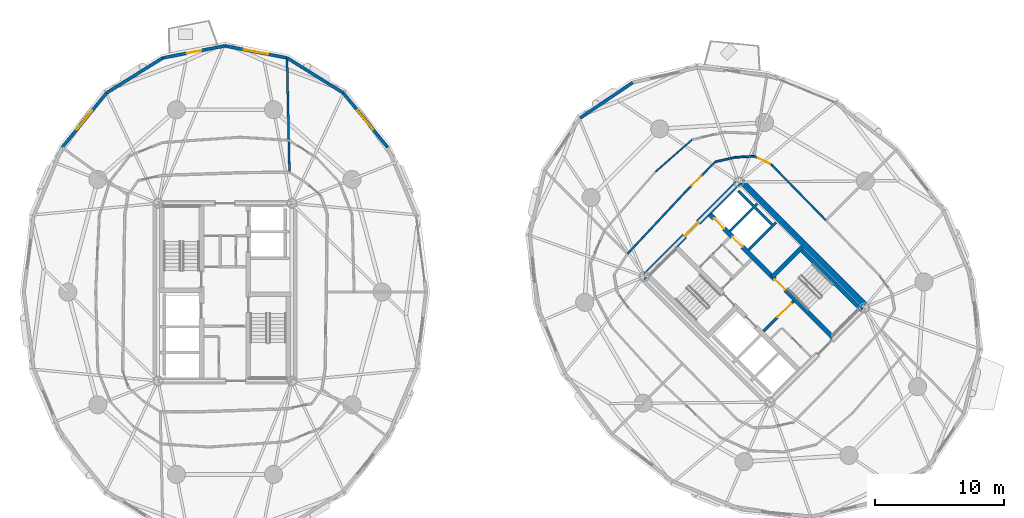
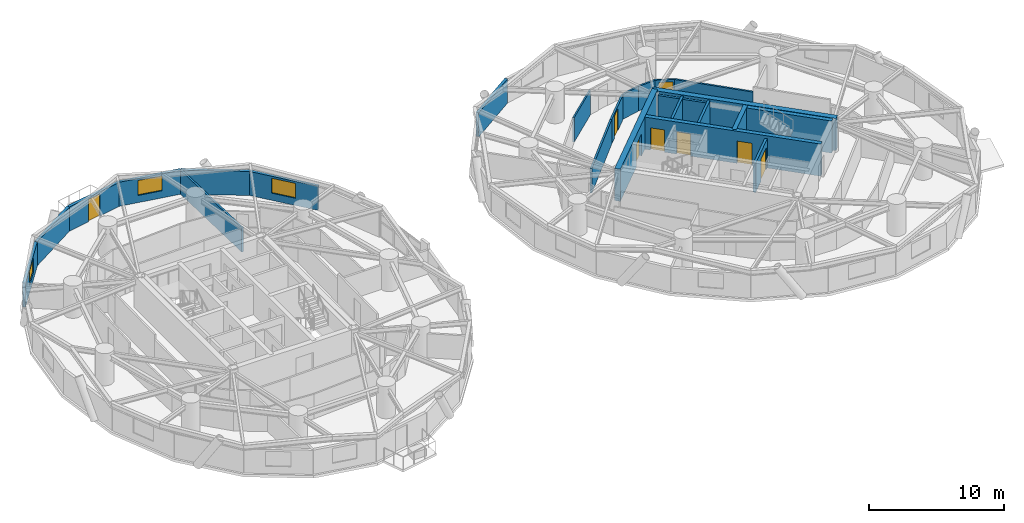
# One storey, part 13 of 18: 25 walls, 8 doors, 3 windows, 11 openings.
"""IFC4 building model written with IfcOpenShell, lengths in metres."""

from ifc_helpers import new_model, si_unit, direction, frame, frame_2d, origin, place, context, subcontext, project, spatial, rectangle, extrude, source, transform, mapped, material, layer, layer_set, type_object, element, fill, save


model = new_model("IFC4")

# Units and contexts
model_context = context("Model", 3, precision=1e-05, world=origin(), true_north=direction((0.0, 1.0)))
body_context = subcontext(model_context, "Body", "Model", "MODEL_VIEW")
ifc_project = project(units=[si_unit("LENGTHUNIT", "METRE"), si_unit("AREAUNIT", "SQUARE_METRE"), si_unit("VOLUMEUNIT", "CUBIC_METRE"), si_unit("PLANEANGLEUNIT", "RADIAN"), si_unit("MASSUNIT", "GRAM", prefix="KILO")], contexts=[model_context])

# Site, building, storey
site_placement = place(None, origin())
site = spatial("IfcSite", under=ifc_project, at=site_placement, CompositionType="ELEMENT")
building_placement = place(site_placement, origin())
building = spatial("IfcBuilding", under=site, at=building_placement, Name="Cununo Teusaquillo Station Towers", CompositionType="ELEMENT")
storey_placement = place(building_placement, frame((0.0, 0.0, 87.610107421875)))
storey = spatial("IfcBuildingStorey", under=building, at=storey_placement, Name="L27", CompositionType="ELEMENT", Elevation=87.610107421875)

# Walls
ifc_material_1 = material(Name="Concrete C50/60", Category="concrete")
ifc_layer_1 = layer(ifc_material_1, 0.199951171875)
ifc_layer_set_1 = layer_set([ifc_layer_1], Name="Concrete C50/60")
wall_type_1 = type_object("IfcWallType", Name="WL-CORE-200", PredefinedType="SHEAR", material=ifc_layer_set_1)
wall_1_placement = place(storey_placement, frame((57.0615234375, 27.781005859375, 0.0), z_axis=(0.0, 0.0, 1.0), x_axis=(0.707106781187, 0.707106781187, 0.0)))
element("IfcWall", 1, at=wall_1_placement, inside=storey, type_object=wall_type_1, Name="L27 Tower B Low-Rise Lift Hoistway South Shear Wall", PredefinedType="SHEAR", context=body_context, shape_type="SweptSolid", body=[
    extrude(rectangle(XDim=2.969970703125, YDim=0.199951171875, at=frame_2d((1.48486328125, 0.0))), origin(), (0.0, 0.0, 1.0), 2.909912109375),
])
wall_2_placement = place(storey_placement, frame((55.615478515625, 29.22705078125, 0.0), z_axis=(0.0, 0.0, 1.0), x_axis=(0.707147878904, 0.70706568108, 0.0)))
element("IfcWall", 2, at=wall_2_placement, inside=storey, type_object=wall_type_1, Name="L27 Tower B Low-Rise Lift Hoistway Divider Shear Wall", PredefinedType="SHEAR", context=body_context, shape_type="SweptSolid", body=[
    extrude(rectangle(XDim=2.97021484375, YDim=0.199951171875, at=frame_2d((1.485107421875, 0.0))), origin(), (0.0, 0.0, 1.0), 2.909912109375),
])
wall_3_placement = place(storey_placement, frame((58.86474609375, 29.75390625, 0.0), z_axis=(0.0, 0.0, 1.0), x_axis=(-0.707174411312, 0.707039144592, 0.0)))
element("IfcWall", 3, at=wall_3_placement, inside=storey, type_object=wall_type_1, Name="L27 Tower B Low-Rise Lift 1 Shaft Rear Shear Wall", PredefinedType="SHEAR", context=body_context, shape_type="SweptSolid", body=[
    extrude(rectangle(XDim=1.804931640625, YDim=0.199951171875, at=frame_2d((0.90234375, 0.0))), origin(), (0.0, 0.0, 1.0), 2.909912109375),
])
wall_4_placement = place(storey_placement, frame((57.418701171875, 31.19970703125, 0.0), z_axis=(0.0, 0.0, 1.0), x_axis=(-0.707032117043, 0.707181437447, 0.0)))
element("IfcWall", 4, at=wall_4_placement, inside=storey, type_object=wall_type_1, Name="L27 Tower B Low-Rise Lift 2 Shaft Rear Shear Wall", PredefinedType="SHEAR", context=body_context, shape_type="SweptSolid", body=[
    extrude(rectangle(XDim=1.635009765625, YDim=0.199951171875, at=frame_2d((0.8173828125, 0.0))), origin(), (0.0, 0.0, 1.0), 2.909912109375),
])

# Wall, openings, doors
ifc_material_2 = material(Name="Concrete C50/60", Category="concrete")
ifc_layer_2 = layer(ifc_material_2, 0.35009765625)
ifc_layer_set_2 = layer_set([ifc_layer_2], Name="Concrete C50/60")
wall_type_2 = type_object("IfcWallType", Name="WL-CORE-350", PredefinedType="SHEAR", material=ifc_layer_set_2)
wall_5_placement = place(storey_placement, frame((63.644775390625, 20.922119140625, 0.0), z_axis=(0.0, 0.0, 1.0), x_axis=(-0.707106781187, 0.707106781187, 0.0)))
wall_5 = element("IfcWall", 5, at=wall_5_placement, inside=storey, type_object=wall_type_2, Name="L27 Tower B Core Shear Wall IE", PredefinedType="SHEAR", context=body_context, shape_type="SweptSolid", body=[
    extrude(rectangle(XDim=13.75, YDim=0.35009765625, at=frame_2d((6.875, 0.0))), origin(), (0.0, 0.0, 1.0), 2.909912109375),
])
shared_shape_1 = source(origin(), body_context, "Body", "SweptSolid", [
    extrude(rectangle(XDim=1.10009765625, YDim=2.014892578125, at=frame_2d((0.550048828125, 1.00732421875))), frame((0.0, 0.18505859375, 0.0), z_axis=(0.0, -1.0, 0.0), x_axis=(1.0, 0.0, 0.0)), (0.0, 0.0, 1.0), 0.3701171875),
])
opening_1_placement = place(wall_5_placement, frame((10.0, 0.0, 0.0)))
opening_1 = element("IfcOpeningElement", 6, at=opening_1_placement, cuts=wall_5, Name="Opening LD-01", PredefinedType="OPENING", context=body_context, shape_type="MappedRepresentation", body=[
    mapped(shared_shape_1, transform((0.0, 0.0, 0.0), x_axis=(1.0, 0.0, 0.0), y_axis=(0.0, 1.0, 0.0), z_axis=(0.0, 0.0, 1.0), scale=1.0)),
])
opening_2_placement = place(wall_5_placement, frame((12.0, 0.0, 0.0)))
opening_2 = element("IfcOpeningElement", 7, at=opening_2_placement, cuts=wall_5, Name="Opening LD-01", PredefinedType="OPENING", context=body_context, shape_type="MappedRepresentation", body=[
    mapped(shared_shape_1, transform((0.0, 0.0, 0.0), x_axis=(1.0, 0.0, 0.0), y_axis=(0.0, 1.0, 0.0), z_axis=(0.0, 0.0, 1.0), scale=1.0)),
])
shared_shape_2 = source(origin(), body_context, "Body", "SweptSolid", [
    extrude(rectangle(XDim=1.14990234375, YDim=2.02001953125, at=frame_2d((0.574951171875, 1.010009765625))), frame((0.0, 0.18505859375, 0.0), z_axis=(0.0, -1.0, 0.0), x_axis=(1.0, 0.0, 0.0)), (0.0, 0.0, 1.0), 0.3701171875),
])
opening_3_placement = place(wall_5_placement, frame((5.304931640625, 0.0, 0.0)))
opening_3 = element("IfcOpeningElement", 8, at=opening_3_placement, cuts=wall_5, Name="Opening D-ST1", PredefinedType="OPENING", context=body_context, shape_type="MappedRepresentation", body=[
    mapped(shared_shape_2, transform((0.0, 0.0, 0.0), x_axis=(1.0, 0.0, 0.0), y_axis=(0.0, 1.0, 0.0), z_axis=(0.0, 0.0, 1.0), scale=1.0)),
])
ifc_material_3 = material(Name="Galvanised fire-rated hollow steel door assembly", Category="steel")
door_type_1 = type_object("IfcDoorType", Name="DR-LIFT-1100", OperationType="SLIDING_TO_LEFT", PredefinedType="DOOR", material=ifc_material_3)
shared_shape_3 = source(origin(), body_context, "Body", "SweptSolid", [
    extrude(rectangle(XDim=1.10009765625, YDim=2.014892578125, at=frame_2d((0.550048828125, 1.00732421875))), frame((0.0, 0.02490234375, 0.0), z_axis=(0.0, -1.0, 0.0), x_axis=(1.0, 0.0, 0.0)), (0.0, 0.0, 1.0), 0.050048828125),
])
door_1_placement = place(opening_1_placement, origin())
door_1 = element("IfcDoor", 9, at=door_1_placement, inside=storey, type_object=door_type_1, Name="L27 Lift PL-T2-L1 Sliding Landing Door", OperationType="SLIDING_TO_LEFT", OverallHeight=2.014892578125, OverallWidth=1.10009765625, PredefinedType="DOOR", context=body_context, shape_type="MappedRepresentation", body=[
    mapped(shared_shape_3, transform((0.0, 0.0, 0.0), x_axis=(1.0, 0.0, 0.0), y_axis=(0.0, 1.0, 0.0), z_axis=(0.0, 0.0, 1.0), scale=1.0)),
])
fill(opening_1, door_1)
door_2_placement = place(opening_2_placement, origin())
door_2 = element("IfcDoor", 10, at=door_2_placement, inside=storey, type_object=door_type_1, Name="L27 Lift PL-T2-L2 Sliding Landing Door", OperationType="SLIDING_TO_RIGHT", OverallHeight=2.014892578125, OverallWidth=1.10009765625, PredefinedType="DOOR", context=body_context, shape_type="MappedRepresentation", body=[
    mapped(shared_shape_3, transform((0.0, 0.0, 0.0), x_axis=(1.0, 0.0, 0.0), y_axis=(0.0, 1.0, 0.0), z_axis=(0.0, 0.0, 1.0), scale=1.0)),
])
fill(opening_2, door_2)
ifc_material_4 = material(Name="Galvanised fire-rated hollow steel door assembly", Category="steel")
door_type_2 = type_object("IfcDoorType", Name="DR-STAIR-1150", OperationType="NOTDEFINED", PredefinedType="DOOR", material=ifc_material_4)
shared_shape_4 = source(origin(), body_context, "Body", "SweptSolid", [
    extrude(rectangle(XDim=1.14990234375, YDim=2.02001953125, at=frame_2d((0.574951171875, 1.010009765625))), frame((0.0, 0.02490234375, 0.0), z_axis=(0.0, -1.0, 0.0), x_axis=(1.0, 0.0, 0.0)), (0.0, 0.0, 1.0), 0.050048828125),
])
door_3_placement = place(opening_3_placement, origin())
door_3 = element("IfcDoor", 11, at=door_3_placement, inside=storey, type_object=door_type_2, Name="L27 Tower B Exit Stair 2 Fire Door", OperationType="SINGLE_SWING_RIGHT", OverallHeight=2.02001953125, OverallWidth=1.14990234375, PredefinedType="DOOR", context=body_context, shape_type="MappedRepresentation", body=[
    mapped(shared_shape_4, transform((0.0, 0.0, 0.0), x_axis=(1.0, 0.0, 0.0), y_axis=(0.0, 1.0, 0.0), z_axis=(0.0, 0.0, 1.0), scale=1.0)),
])
fill(opening_3, door_3)

# Walls
wall_6_placement = place(storey_placement, frame((65.82958984375, 23.10693359375, 0.0), z_axis=(0.0, 0.0, 1.0), x_axis=(-0.707088616009, 0.707124945897, 0.0)))
element("IfcWall", 12, at=wall_6_placement, inside=storey, type_object=wall_type_2, Name="L27 Tower B Core Shear Wall ST2E", PredefinedType="SHEAR", context=body_context, shape_type="SweptSolid", body=[
    extrude(rectangle(XDim=6.72021484375, YDim=0.35009765625, at=frame_2d((3.360107421875, 0.0))), origin(), (0.0, 0.0, 1.0), 2.909912109375),
])
wall_7_placement = place(storey_placement, frame((58.89306640625, 25.673828125, 0.0), z_axis=(0.0, 0.0, 1.0), x_axis=(0.707106781187, 0.707106781187, 0.0)))
element("IfcWall", 13, at=wall_7_placement, inside=storey, type_object=wall_type_2, Name="L27 Tower B Core Shear Wall ST2N", PredefinedType="SHEAR", context=body_context, shape_type="SweptSolid", body=[
    extrude(rectangle(XDim=3.284912109375, YDim=0.35009765625, at=frame_2d((1.642578125, 0.0))), origin(), (0.0, 0.0, 1.0), 2.909912109375),
])
ifc_material_5 = material(Name="Concrete C60/75", Category="concrete")
ifc_layer_3 = layer(ifc_material_5, 0.449951171875)
ifc_layer_set_3 = layer_set([ifc_layer_3], Name="Concrete C60/75")
wall_type_3 = type_object("IfcWallType", Name="WL-CORE-450", PredefinedType="SHEAR", material=ifc_layer_set_3)
wall_8_placement = place(storey_placement, frame((66.303466796875, 23.2626953125, 0.0), z_axis=(0.0, 0.0, 1.0), x_axis=(-0.707106781187, 0.707106781187, 0.0)))
element("IfcWall", 14, at=wall_8_placement, inside=storey, type_object=wall_type_3, Name="L27 Tower B Core Shear Wall E", PredefinedType="SHEAR", context=body_context, shape_type="SweptSolid", body=[
    extrude(rectangle(XDim=14.19970703125, YDim=0.449951171875, at=frame_2d((7.099853515625, 0.0))), origin(), (0.0, 0.0, 1.0), 2.909912109375),
])

# Wall, opening, door
wall_9_placement = place(storey_placement, frame((48.855712890625, 25.578369140625, 0.0), z_axis=(0.0, 0.0, 1.0), x_axis=(0.707106781187, 0.707106781187, 0.0)))
wall_9 = element("IfcWall", 15, at=wall_9_placement, inside=storey, type_object=wall_type_3, Name="L27 Tower B Core Shear Wall N", PredefinedType="SHEAR", context=body_context, shape_type="SweptSolid", body=[
    extrude(rectangle(XDim=10.69970703125, YDim=0.449951171875, at=frame_2d((5.349853515625, 0.0))), origin(), (0.0, 0.0, 1.0), 2.909912109375),
])
shared_shape_5 = source(origin(), body_context, "Body", "SweptSolid", [
    extrude(rectangle(XDim=1.5, YDim=2.02001953125, at=frame_2d((0.75, 1.010009765625))), frame((0.0, 0.23486328125, 0.0), z_axis=(0.0, -1.0, 0.0), x_axis=(1.0, 0.0, 0.0)), (0.0, 0.0, 1.0), 0.469970703125),
])
opening_4_placement = place(wall_9_placement, frame((4.60009765625, 0.0, 0.0)))
opening_4 = element("IfcOpeningElement", 16, at=opening_4_placement, cuts=wall_9, Name="Opening D-LB1", PredefinedType="OPENING", context=body_context, shape_type="MappedRepresentation", body=[
    mapped(shared_shape_5, transform((0.0, 0.0, 0.0), x_axis=(1.0, 0.0, 0.0), y_axis=(0.0, 1.0, 0.0), z_axis=(0.0, 0.0, 1.0), scale=1.0)),
])
ifc_material_6 = material(Name="Galvanised fire-rated hollow steel door assembly", Category="steel")
door_type_3 = type_object("IfcDoorType", Name="DR-LOBBY-1500", OperationType="DOUBLE_DOOR_SINGLE_SWING", PredefinedType="DOOR", material=ifc_material_6)
shared_shape_6 = source(origin(), body_context, "Body", "SweptSolid", [
    extrude(rectangle(XDim=1.5, YDim=2.02001953125, at=frame_2d((0.75, 1.010009765625))), frame((0.0, 0.02490234375, 0.0), z_axis=(0.0, -1.0, 0.0), x_axis=(1.0, 0.0, 0.0)), (0.0, 0.0, 1.0), 0.050048828125),
])
door_4_placement = place(opening_4_placement, origin())
door_4 = element("IfcDoor", 17, at=door_4_placement, inside=storey, type_object=door_type_3, Name="L27 Tower B North Core Lift Lobby Door", OperationType="DOUBLE_DOOR_SINGLE_SWING", OverallHeight=2.02001953125, OverallWidth=1.5, PredefinedType="DOOR", context=body_context, shape_type="MappedRepresentation", body=[
    mapped(shared_shape_6, transform((0.0, 0.0, 0.0), x_axis=(1.0, 0.0, 0.0), y_axis=(0.0, 1.0, 0.0), z_axis=(0.0, 0.0, 1.0), scale=1.0)),
])
fill(opening_4, door_4)

# Wall, opening, window
ifc_material_7 = material(Name="Precast concrete C40/50", Category="concrete")
ifc_layer_4 = layer(ifc_material_7, 0.239990234375)
ifc_layer_set_4 = layer_set([ifc_layer_4], Name="Precast concrete C40/50")
wall_type_4 = type_object("IfcWallType", Name="WL-EXT-240", PredefinedType="SOLIDWALL", material=ifc_layer_set_4)
wall_10_placement = place(storey_placement, frame((25.658203125, 39.927978515625, 0.0), z_axis=(0.0, 0.0, 1.0), x_axis=(0.632700781152, -0.77439635945, 0.0)))
wall_10 = element("IfcWall", 18, at=wall_10_placement, inside=storey, type_object=wall_type_4, Name="L27 Tower A Exterior Facade Wall C02", PredefinedType="SOLIDWALL", context=body_context, shape_type="SweptSolid", body=[
    extrude(rectangle(XDim=5.447998046875, YDim=0.239990234375, at=frame_2d((2.72412109375, 0.0))), origin(), (0.0, 0.0, 1.0), 2.178955078125),
])
shared_shape_7 = source(origin(), body_context, "Body", "SweptSolid", [
    extrude(rectangle(XDim=1.89990234375, YDim=1.35009765625, at=frame_2d((0.949951171875, 0.675048828125))), frame((0.0, 0.1298828125, 0.0), z_axis=(0.0, -1.0, 0.0), x_axis=(1.0, 0.0, 0.0)), (0.0, 0.0, 1.0), 0.260009765625),
])
opening_5_placement = place(wall_10_placement, frame((1.77392578125, 0.0, 0.64990234375)))
opening_5 = element("IfcOpeningElement", 19, at=opening_5_placement, cuts=wall_10, Name="Opening WN-02", PredefinedType="OPENING", context=body_context, shape_type="MappedRepresentation", body=[
    mapped(shared_shape_7, transform((0.0, 0.0, 0.0), x_axis=(1.0, 0.0, 0.0), y_axis=(0.0, 1.0, 0.0), z_axis=(0.0, 0.0, 1.0), scale=1.0)),
])
ifc_material_8 = material(Name="Operable acoustic tinted low-E double glazing", Category="glass")
window_type = type_object("IfcWindowType", Name="WIN-OPER-1900", PartitioningType="DOUBLE_PANEL_VERTICAL", PredefinedType="WINDOW", material=ifc_material_8)
shared_shape_8 = source(origin(), body_context, "Body", "SweptSolid", [
    extrude(rectangle(XDim=1.89990234375, YDim=1.35009765625, at=frame_2d((0.949951171875, 0.675048828125))), frame((0.0, 0.030029296875, 0.0), z_axis=(0.0, -1.0, 0.0), x_axis=(1.0, 0.0, 0.0)), (0.0, 0.0, 1.0), 0.06005859375),
])
window_1_placement = place(opening_5_placement, origin())
window_1 = element("IfcWindow", 20, at=window_1_placement, inside=storey, type_object=window_type, Name="L27 Tower A Facade Window C02", OverallHeight=1.35009765625, OverallWidth=1.89990234375, PartitioningType="DOUBLE_PANEL_VERTICAL", PredefinedType="WINDOW", context=body_context, shape_type="MappedRepresentation", body=[
    mapped(shared_shape_8, transform((0.0, 0.0, 0.0), x_axis=(1.0, 0.0, 0.0), y_axis=(0.0, 1.0, 0.0), z_axis=(0.0, 0.0, 1.0), scale=1.0)),
])
fill(opening_5, window_1)

# Wall
wall_11_placement = place(storey_placement, frame((21.314697265625, 42.63671875, 0.0), z_axis=(0.0, 0.0, 1.0), x_axis=(0.848520380187, -0.529162701263, 0.0)))
element("IfcWall", 21, at=wall_11_placement, inside=storey, type_object=wall_type_4, Name="L27 Tower A Exterior Facade Wall C03", PredefinedType="SOLIDWALL", context=body_context, shape_type="SweptSolid", body=[
    extrude(rectangle(XDim=5.118896484375, YDim=0.239990234375, at=frame_2d((2.5595703125, 0.0))), origin(), (0.0, 0.0, 1.0), 2.178955078125),
])

# Wall, opening, window
wall_12_placement = place(storey_placement, frame((16.5, 43.570068359375, 0.0), z_axis=(0.0, 0.0, 1.0), x_axis=(0.981723785992, -0.190311344954, 0.0)))
wall_12 = element("IfcWall", 22, at=wall_12_placement, inside=storey, type_object=wall_type_4, Name="L27 Tower A Exterior Facade Wall C04", PredefinedType="SOLIDWALL", context=body_context, shape_type="SweptSolid", body=[
    extrude(rectangle(XDim=4.904296875, YDim=0.239990234375, at=frame_2d((2.4521484375, 0.0))), origin(), (0.0, 0.0, 1.0), 2.178955078125),
])
opening_6_placement = place(wall_12_placement, frame((1.501953125, 0.0, 0.64990234375)))
opening_6 = element("IfcOpeningElement", 23, at=opening_6_placement, cuts=wall_12, Name="Opening WN-02", PredefinedType="OPENING", context=body_context, shape_type="MappedRepresentation", body=[
    mapped(shared_shape_7, transform((0.0, 0.0, 0.0), x_axis=(1.0, 0.0, 0.0), y_axis=(0.0, 1.0, 0.0), z_axis=(0.0, 0.0, 1.0), scale=1.0)),
])
window_2_placement = place(opening_6_placement, origin())
window_2 = element("IfcWindow", 24, at=window_2_placement, inside=storey, type_object=window_type, Name="L27 Tower A Facade Window C04", OverallHeight=1.35009765625, OverallWidth=1.89990234375, PartitioningType="DOUBLE_PANEL_VERTICAL", PredefinedType="WINDOW", context=body_context, shape_type="MappedRepresentation", body=[
    mapped(shared_shape_8, transform((0.0, 0.0, 0.0), x_axis=(1.0, 0.0, 0.0), y_axis=(0.0, 1.0, 0.0), z_axis=(0.0, 0.0, 1.0), scale=1.0)),
])
fill(opening_6, window_2)

# Wall, opening, door
wall_13_placement = place(storey_placement, frame((11.685302734375, 42.63671875, 0.0), z_axis=(0.0, 0.0, 1.0), x_axis=(0.981723785992, 0.190311344954, 0.0)))
wall_13 = element("IfcWall", 25, at=wall_13_placement, inside=storey, type_object=wall_type_4, Name="L27 Tower A Exterior Facade Wall C05", PredefinedType="SOLIDWALL", context=body_context, shape_type="SweptSolid", body=[
    extrude(rectangle(XDim=4.904296875, YDim=0.239990234375, at=frame_2d((2.4521484375, 0.0))), origin(), (0.0, 0.0, 1.0), 2.178955078125),
])
shared_shape_9 = source(origin(), body_context, "Body", "SweptSolid", [
    extrude(rectangle(XDim=1.14990234375, YDim=2.0048828125, at=frame_2d((0.574951171875, 1.00244140625))), frame((0.0, 0.1298828125, 0.0), z_axis=(0.0, -1.0, 0.0), x_axis=(1.0, 0.0, 0.0)), (0.0, 0.0, 1.0), 0.260009765625),
])
opening_7_placement = place(wall_13_placement, frame((1.876953125, 0.0, 0.0)))
opening_7 = element("IfcOpeningElement", 26, at=opening_7_placement, cuts=wall_13, Name="Opening ED-03", PredefinedType="OPENING", context=body_context, shape_type="MappedRepresentation", body=[
    mapped(shared_shape_9, transform((0.0, 0.0, 0.0), x_axis=(1.0, 0.0, 0.0), y_axis=(0.0, 1.0, 0.0), z_axis=(0.0, 0.0, 1.0), scale=1.0)),
])
ifc_material_9 = material(Name="Anodised dark bronze aluminium EN AW-6063-T6", Category="aluminium")
door_type_4 = type_object("IfcDoorType", Name="DR-EXT-BAL", OperationType="NOTDEFINED", PredefinedType="DOOR", material=ifc_material_9)
shared_shape_10 = source(origin(), body_context, "Body", "SweptSolid", [
    extrude(rectangle(XDim=1.14990234375, YDim=2.0048828125, at=frame_2d((0.574951171875, 1.00244140625))), frame((0.0, 0.02490234375, 0.0), z_axis=(0.0, -1.0, 0.0), x_axis=(1.0, 0.0, 0.0)), (0.0, 0.0, 1.0), 0.050048828125),
])
door_5_placement = place(opening_7_placement, origin())
door_5 = element("IfcDoor", 27, at=door_5_placement, inside=storey, type_object=door_type_4, Name="L27 Tower A Tree Balcony Door C05", OperationType="SINGLE_SWING_LEFT", OverallHeight=2.0048828125, OverallWidth=1.14990234375, PredefinedType="DOOR", context=body_context, shape_type="MappedRepresentation", body=[
    mapped(shared_shape_10, transform((0.0, 0.0, 0.0), x_axis=(1.0, 0.0, 0.0), y_axis=(0.0, 1.0, 0.0), z_axis=(0.0, 0.0, 1.0), scale=1.0)),
])
fill(opening_7, door_5)

# Wall
wall_14_placement = place(storey_placement, frame((7.341796875, 39.927978515625, 0.0), z_axis=(0.0, 0.0, 1.0), x_axis=(0.848520380187, 0.529162701263, 0.0)))
element("IfcWall", 28, at=wall_14_placement, inside=storey, type_object=wall_type_4, Name="L27 Tower A Exterior Facade Wall C06", PredefinedType="SOLIDWALL", context=body_context, shape_type="SweptSolid", body=[
    extrude(rectangle(XDim=5.118896484375, YDim=0.239990234375, at=frame_2d((2.5595703125, 0.0))), origin(), (0.0, 0.0, 1.0), 2.178955078125),
])

# Wall, opening, window
wall_15_placement = place(storey_placement, frame((3.894775390625, 35.708984375, 0.0), z_axis=(0.0, 0.0, 1.0), x_axis=(0.632700781152, 0.77439635945, 0.0)))
wall_15 = element("IfcWall", 29, at=wall_15_placement, inside=storey, type_object=wall_type_4, Name="L27 Tower A Exterior Facade Wall C07", PredefinedType="SOLIDWALL", context=body_context, shape_type="SweptSolid", body=[
    extrude(rectangle(XDim=5.447998046875, YDim=0.239990234375, at=frame_2d((2.72412109375, 0.0))), origin(), (0.0, 0.0, 1.0), 2.178955078125),
])
opening_8_placement = place(wall_15_placement, frame((1.77392578125, 0.0, 0.64990234375)))
opening_8 = element("IfcOpeningElement", 30, at=opening_8_placement, cuts=wall_15, Name="Opening WN-02", PredefinedType="OPENING", context=body_context, shape_type="MappedRepresentation", body=[
    mapped(shared_shape_7, transform((0.0, 0.0, 0.0), x_axis=(1.0, 0.0, 0.0), y_axis=(0.0, 1.0, 0.0), z_axis=(0.0, 0.0, 1.0), scale=1.0)),
])
window_3_placement = place(opening_8_placement, origin())
window_3 = element("IfcWindow", 31, at=window_3_placement, inside=storey, type_object=window_type, Name="L27 Tower A Facade Window C07", OverallHeight=1.35009765625, OverallWidth=1.89990234375, PartitioningType="DOUBLE_PANEL_VERTICAL", PredefinedType="WINDOW", context=body_context, shape_type="MappedRepresentation", body=[
    mapped(shared_shape_8, transform((0.0, 0.0, 0.0), x_axis=(1.0, 0.0, 0.0), y_axis=(0.0, 1.0, 0.0), z_axis=(0.0, 0.0, 1.0), scale=1.0)),
])
fill(opening_8, window_3)

# Walls
wall_16_placement = place(storey_placement, frame((44.015380859375, 37.984619140625, 0.0), z_axis=(0.0, 0.0, 1.0), x_axis=(0.828781148131, 0.559572880421, 0.0)))
element("IfcWall", 32, at=wall_16_placement, inside=storey, type_object=wall_type_4, Name="L27 Tower B Exterior Facade Wall C04", PredefinedType="SOLIDWALL", context=body_context, shape_type="SweptSolid", body=[
    extrude(rectangle(XDim=4.904541015625, YDim=0.239990234375, at=frame_2d((2.4521484375, 0.0))), origin(), (0.0, 0.0, 1.0), 2.178955078125),
])
ifc_material_10 = material(Name="Fire-rated gypsum plasterboard partition assembly", Category="gypsum")
ifc_layer_5 = layer(ifc_material_10, 0.125)
ifc_layer_set_5 = layer_set([ifc_layer_5], Name="Fire-rated gypsum plasterboard partition assembly")
wall_type_5 = type_object("IfcWallType", Name="WL-PART-125", PredefinedType="PARTITIONING", material=ifc_layer_set_5)
wall_17_placement = place(storey_placement, frame((52.6865234375, 36.304931640625, 0.0), z_axis=(0.0, 0.0, 1.0), x_axis=(-0.752332345919, -0.658783759123, 0.0)))
element("IfcWall", 33, at=wall_17_placement, inside=storey, type_object=wall_type_5, Name="L27 Tower B Parametric Prototyping Lab Concentric Partition Wall C04", PredefinedType="PARTITIONING", context=body_context, shape_type="SweptSolid", body=[
    extrude(rectangle(XDim=3.7763671875, YDim=0.125, at=frame_2d((1.88818359375, 0.0))), origin(), (0.0, 0.0, 1.0), 2.224853515625),
])
ifc_material_11 = material(Name="Fire-rated gypsum plasterboard partition assembly", Category="gypsum")
ifc_layer_6 = layer(ifc_material_11, 0.14990234375)
ifc_layer_set_6 = layer_set([ifc_layer_6], Name="Fire-rated gypsum plasterboard partition assembly")
wall_type_6 = type_object("IfcWallType", Name="WL-PART-150", PredefinedType="PARTITIONING", material=ifc_layer_set_6)
wall_18_placement = place(storey_placement, frame((63.05078125, 30.05078125, 0.0), z_axis=(0.0, 0.0, 1.0), x_axis=(-0.698846622234, 0.715271555839, 0.0)))
element("IfcWall", 34, at=wall_18_placement, inside=storey, type_object=wall_type_6, Name="L27 Tower B Corridor Ring Wall C00", PredefinedType="PARTITIONING", context=body_context, shape_type="SweptSolid", body=[
    extrude(rectangle(XDim=6.049560546875, YDim=0.14990234375, at=frame_2d((3.02490234375, 0.0))), origin(), (0.0, 0.0, 1.0), 2.224853515625),
])

# Wall, opening, door
wall_19_placement = place(storey_placement, frame((58.822998046875, 34.3779296875, 0.0), z_axis=(0.0, 0.0, 1.0), x_axis=(-0.900449137666, 0.434961320668, 0.0)))
wall_19 = element("IfcWall", 35, at=wall_19_placement, inside=storey, type_object=wall_type_6, Name="L27 Tower B Corridor Ring Wall C01", PredefinedType="PARTITIONING", context=body_context, shape_type="SweptSolid", body=[
    extrude(rectangle(XDim=1.4794921875, YDim=0.14990234375, at=frame_2d((0.73974609375, 0.0))), origin(), (0.0, 0.0, 1.0), 2.224853515625),
])
shared_shape_11 = source(origin(), body_context, "Body", "SweptSolid", [
    extrude(rectangle(XDim=1.050048828125, YDim=2.014892578125, at=frame_2d((0.52490234375, 1.00732421875))), frame((0.0, 0.0849609375, 0.0), z_axis=(0.0, -1.0, 0.0), x_axis=(1.0, 0.0, 0.0)), (0.0, 0.0, 1.0), 0.169921875),
])
opening_9_placement = place(wall_19_placement, frame((0.1201171875, 0.0, 0.0)))
opening_9 = element("IfcOpeningElement", 36, at=opening_9_placement, cuts=wall_19, Name="Opening D-SU1", PredefinedType="OPENING", context=body_context, shape_type="MappedRepresentation", body=[
    mapped(shared_shape_11, transform((0.0, 0.0, 0.0), x_axis=(1.0, 0.0, 0.0), y_axis=(0.0, 1.0, 0.0), z_axis=(0.0, 0.0, 1.0), scale=1.0)),
])
ifc_material_12 = material(Name="Acoustic solid-core hardwood leaf assembly", Category="wood")
door_type_5 = type_object("IfcDoorType", Name="DR-SUITE-1050", OperationType="NOTDEFINED", PredefinedType="DOOR", material=ifc_material_12)
shared_shape_12 = source(origin(), body_context, "Body", "SweptSolid", [
    extrude(rectangle(XDim=1.050048828125, YDim=2.014892578125, at=frame_2d((0.52490234375, 1.00732421875))), frame((0.0, 0.02490234375, 0.0), z_axis=(0.0, -1.0, 0.0), x_axis=(1.0, 0.0, 0.0)), (0.0, 0.0, 1.0), 0.050048828125),
])
door_6_placement = place(opening_9_placement, origin())
door_6 = element("IfcDoor", 37, at=door_6_placement, inside=storey, type_object=door_type_5, Name="L27 Tower B Digital Engineering Open Workplace Entrance Door", OperationType="SINGLE_SWING_LEFT", OverallHeight=2.014892578125, OverallWidth=1.050048828125, PredefinedType="DOOR", context=body_context, shape_type="MappedRepresentation", body=[
    mapped(shared_shape_12, transform((0.0, 0.0, 0.0), x_axis=(1.0, 0.0, 0.0), y_axis=(0.0, 1.0, 0.0), z_axis=(0.0, 0.0, 1.0), scale=1.0)),
])
fill(opening_9, door_6)

# Walls
wall_20_placement = place(storey_placement, frame((57.49072265625, 35.021484375, 0.0), z_axis=(0.0, 0.0, 1.0), x_axis=(-0.9985194771, -0.054395347698, 0.0)))
element("IfcWall", 38, at=wall_20_placement, inside=storey, type_object=wall_type_6, Name="L27 Tower B Corridor Ring Wall C02", PredefinedType="PARTITIONING", context=body_context, shape_type="SweptSolid", body=[
    extrude(rectangle(XDim=1.47216796875, YDim=0.14990234375, at=frame_2d((0.736083984375, 0.0))), origin(), (0.0, 0.0, 1.0), 2.224853515625),
])
wall_21_placement = place(storey_placement, frame((56.020751953125, 34.94140625, 0.0), z_axis=(0.0, 0.0, 1.0), x_axis=(-0.975309543901, -0.220842236847, 0.0)))
element("IfcWall", 39, at=wall_21_placement, inside=storey, type_object=wall_type_6, Name="L27 Tower B Corridor Ring Wall C03", PredefinedType="PARTITIONING", context=body_context, shape_type="SweptSolid", body=[
    extrude(rectangle(XDim=1.585205078125, YDim=0.14990234375, at=frame_2d((0.79248046875, 0.0))), origin(), (0.0, 0.0, 1.0), 2.224853515625),
])

# Wall, opening, door
wall_22_placement = place(storey_placement, frame((54.474609375, 34.59130859375, 0.0), z_axis=(0.0, 0.0, 1.0), x_axis=(-0.703869646439, -0.710329163714, 0.0)))
wall_22 = element("IfcWall", 40, at=wall_22_placement, inside=storey, type_object=wall_type_6, Name="L27 Tower B Corridor Ring Wall C04", PredefinedType="PARTITIONING", context=body_context, shape_type="SweptSolid", body=[
    extrude(rectangle(XDim=3.36376953125, YDim=0.14990234375, at=frame_2d((1.681884765625, 0.0))), origin(), (0.0, 0.0, 1.0), 2.224853515625),
])
opening_10_placement = place(wall_22_placement, frame((1.545654296875, 0.0, 0.0)))
opening_10 = element("IfcOpeningElement", 41, at=opening_10_placement, cuts=wall_22, Name="Opening D-SU1", PredefinedType="OPENING", context=body_context, shape_type="MappedRepresentation", body=[
    mapped(shared_shape_11, transform((0.0, 0.0, 0.0), x_axis=(1.0, 0.0, 0.0), y_axis=(0.0, 1.0, 0.0), z_axis=(0.0, 0.0, 1.0), scale=1.0)),
])
door_7_placement = place(opening_10_placement, origin())
door_7 = element("IfcDoor", 42, at=door_7_placement, inside=storey, type_object=door_type_5, Name="L27 Tower B Parametric Prototyping Lab Entrance Door", OperationType="SINGLE_SWING_RIGHT", OverallHeight=2.014892578125, OverallWidth=1.050048828125, PredefinedType="DOOR", context=body_context, shape_type="MappedRepresentation", body=[
    mapped(shared_shape_12, transform((0.0, 0.0, 0.0), x_axis=(1.0, 0.0, 0.0), y_axis=(0.0, 1.0, 0.0), z_axis=(0.0, 0.0, 1.0), scale=1.0)),
])
fill(opening_10, door_7)

# Walls
wall_23_placement = place(storey_placement, frame((52.10693359375, 32.201904296875, 0.0), z_axis=(0.0, 0.0, 1.0), x_axis=(-0.682605209028, -0.730787334734, 0.0)))
element("IfcWall", 43, at=wall_23_placement, inside=storey, type_object=wall_type_6, Name="L27 Tower B Corridor Ring Wall C05", PredefinedType="PARTITIONING", context=body_context, shape_type="SweptSolid", body=[
    extrude(rectangle(XDim=6.48583984375, YDim=0.14990234375, at=frame_2d((3.242919921875, 0.0))), origin(), (0.0, 0.0, 1.0), 2.224853515625),
])
ifc_material_13 = material(Name="Fire-rated gypsum plasterboard partition assembly", Category="gypsum")
ifc_layer_7 = layer(ifc_material_13, 0.159912109375)
ifc_layer_set_7 = layer_set([ifc_layer_7], Name="Fire-rated gypsum plasterboard partition assembly")
wall_type_7 = type_object("IfcWallType", Name="WL-PART-160", PredefinedType="PARTITIONING", material=ifc_layer_set_7)
wall_24_placement = place(storey_placement, frame((21.496337890625, 33.77490234375, 0.0), z_axis=(0.0, 0.0, 1.0), x_axis=(-0.021226580265, 0.999774690763, 0.0)))
element("IfcWall", 44, at=wall_24_placement, inside=storey, type_object=wall_type_7, Name="L27 Tower A Radial Suite Partition R02", PredefinedType="PARTITIONING", context=body_context, shape_type="SweptSolid", body=[
    extrude(rectangle(XDim=8.8447265625, YDim=0.159912109375, at=frame_2d((4.42236328125, 0.0))), origin(), (0.0, 0.0, 1.0), 2.178955078125),
])

# Wall, opening, door
ifc_material_14 = material(Name="Fire-rated gypsum plasterboard partition assembly", Category="gypsum")
ifc_layer_8 = layer(ifc_material_14, 0.199951171875)
ifc_layer_set_8 = layer_set([ifc_layer_8], Name="Fire-rated gypsum plasterboard partition assembly")
wall_type_8 = type_object("IfcWallType", Name="WL-PART-200", PredefinedType="PARTITIONING", material=ifc_layer_set_8)
wall_25_placement = place(storey_placement, frame((58.214111328125, 21.466552734375, 0.0), z_axis=(0.0, 0.0, 1.0), x_axis=(0.707106781187, 0.707106781187, 0.0)))
wall_25 = element("IfcWall", 45, at=wall_25_placement, inside=storey, type_object=wall_type_8, Name="L27 Tower B Firefighting Lift Lobby South Fire Wall", PredefinedType="PARTITIONING", context=body_context, shape_type="SweptSolid", body=[
    extrude(rectangle(XDim=3.280029296875, YDim=0.199951171875, at=frame_2d((1.64013671875, 0.0))), origin(), (0.0, 0.0, 1.0), 2.65478515625),
])
shared_shape_13 = source(origin(), body_context, "Body", "SweptSolid", [
    extrude(rectangle(XDim=1.5, YDim=2.02001953125, at=frame_2d((0.75, 1.010009765625))), frame((0.0, 0.10986328125, 0.0), z_axis=(0.0, -1.0, 0.0), x_axis=(1.0, 0.0, 0.0)), (0.0, 0.0, 1.0), 0.219970703125),
])
opening_11_placement = place(wall_25_placement, frame((1.550048828125, 0.0, 0.0)))
opening_11 = element("IfcOpeningElement", 46, at=opening_11_placement, cuts=wall_25, Name="Opening D-LB1", PredefinedType="OPENING", context=body_context, shape_type="MappedRepresentation", body=[
    mapped(shared_shape_13, transform((0.0, 0.0, 0.0), x_axis=(1.0, 0.0, 0.0), y_axis=(0.0, 1.0, 0.0), z_axis=(0.0, 0.0, 1.0), scale=1.0)),
])
door_8_placement = place(opening_11_placement, origin())
door_8 = element("IfcDoor", 47, at=door_8_placement, inside=storey, type_object=door_type_3, Name="L27 Tower B Firefighting Lift Lobby South Fire Door", OperationType="DOUBLE_DOOR_SINGLE_SWING", OverallHeight=2.02001953125, OverallWidth=1.5, PredefinedType="DOOR", context=body_context, shape_type="MappedRepresentation", body=[
    mapped(shared_shape_6, transform((0.0, 0.0, 0.0), x_axis=(1.0, 0.0, 0.0), y_axis=(0.0, 1.0, 0.0), z_axis=(0.0, 0.0, 1.0), scale=1.0)),
])
fill(opening_11, door_8)

save(model, "model.ifc")
